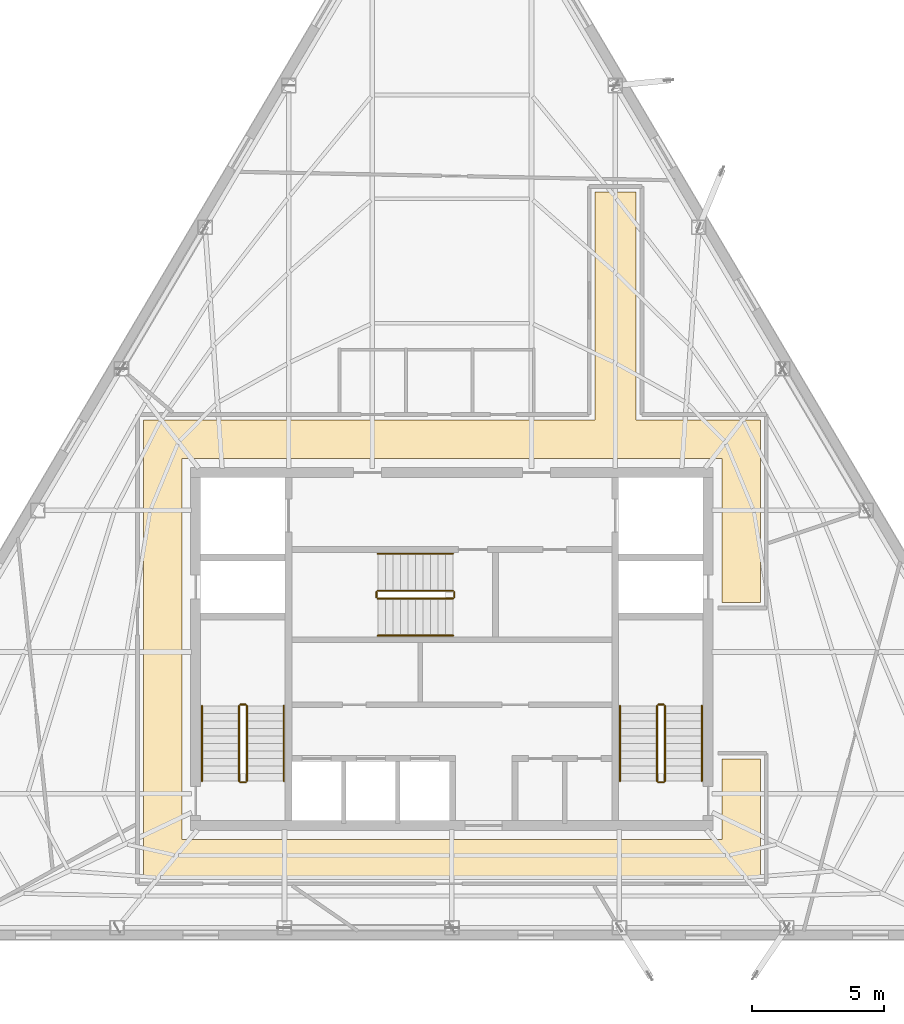
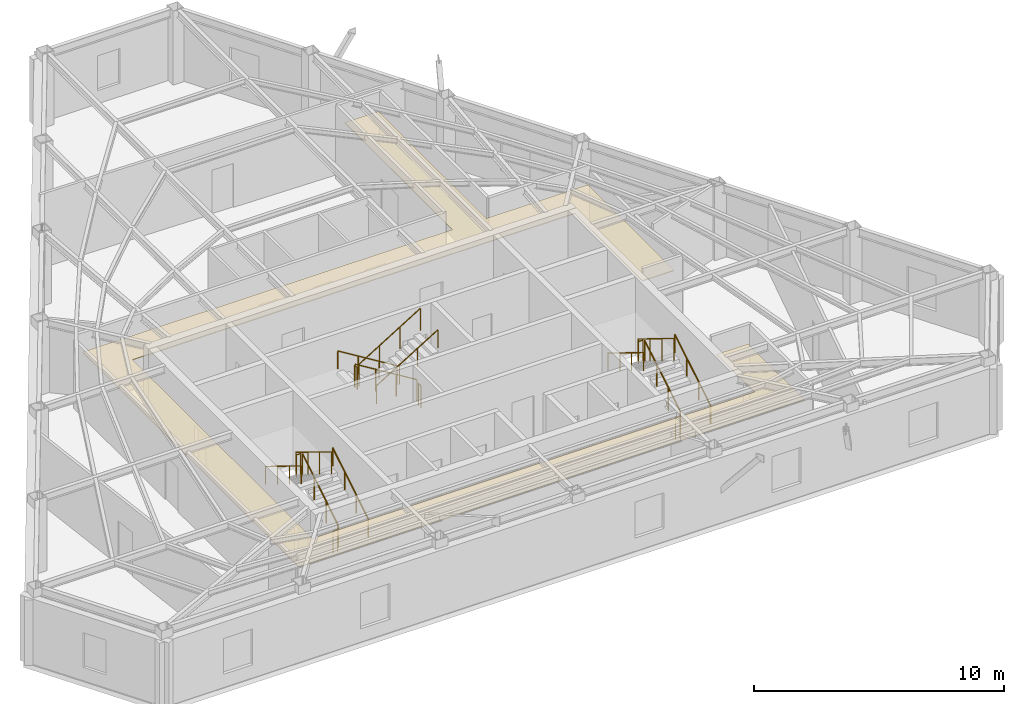
# One storey, part 10 of 10: 18 railings, 1 covering.
"""IFC4 building model written with IfcOpenShell, lengths in metres."""

from ifc_helpers import new_model, si_unit, direction, frame, origin, origin_2d, place, context, subcontext, project, spatial, polyline, circle, outline, extrude, material, layer, layer_set, type_object, element, save


model = new_model("IFC4")

# Units and contexts
model_context = context("Model", 3, precision=1e-05, world=origin(), true_north=direction((0.0, 1.0)))
body_context = subcontext(model_context, "Body", "Model", "MODEL_VIEW")
ifc_project = project(units=[si_unit("LENGTHUNIT", "METRE"), si_unit("AREAUNIT", "SQUARE_METRE"), si_unit("VOLUMEUNIT", "CUBIC_METRE"), si_unit("PLANEANGLEUNIT", "RADIAN"), si_unit("MASSUNIT", "GRAM", prefix="KILO")], contexts=[model_context])

# Site, building, storey
site_placement = place(None, origin())
site = spatial("IfcSite", under=ifc_project, at=site_placement, CompositionType="ELEMENT")
building_placement = place(site_placement, origin())
building = spatial("IfcBuilding", under=site, at=building_placement, Name="Kavelnor Concourse Tower", CompositionType="ELEMENT")
storey_placement = place(building_placement, frame((0.0, 0.0, 274.14990234375)))
storey = spatial("IfcBuildingStorey", under=building, at=storey_placement, Name="L69", CompositionType="ELEMENT", Elevation=274.14990234375)

# Covering
ifc_material_1 = material(Name="Mineral fibre acoustic ceiling tile")
ifc_layer = layer(ifc_material_1, 0.0400390625, Name="Mineral fibre acoustic ceiling tile")
ifc_layer_set = layer_set([ifc_layer], Name="Mineral fibre acoustic ceiling tile")
covering_type = type_object("IfcCoveringType", Name="COV-CEILING-ACOUSTIC", PredefinedType="CEILING", material=ifc_layer_set)
covering_placement = place(storey_placement, frame((0.0, 0.0, 2.75)))
element("IfcCovering", 1, at=covering_placement, inside=storey, type_object=covering_type, Name="L69 Suspended Acoustic Ceiling", PredefinedType="CEILING", context=body_context, shape_type="SweptSolid", body=[
    extrude(outline(polyline([(44.97998046875, 24.77001953125), (49.68994140625, 24.77001953125), (49.68994140625, 17.8701171875), (48.22998046875, 17.8701171875), (48.22998046875, 23.31005859375), (27.77001953125, 23.31005859375), (27.77001953125, 8.889892578125), (48.22998046875, 8.889892578125), (48.22998046875, 11.929931640625), (49.68994140625, 11.929931640625), (49.68994140625, 7.429931640625), (26.31005859375, 7.429931640625), (26.31005859375, 24.77001953125), (43.419921875, 24.77001953125), (43.419921875, 33.4111328125), (44.97998046875, 33.4111328125), (44.97998046875, 24.77001953125)])), origin(), (0.0, 0.0, 1.0), 0.0400390625),
])

# Railings
ifc_material_2 = material(Name="Steel Grade 350", Category="steel")
railing_type_1 = type_object("IfcRailingType", Name="RLG-GUARD-1100", PredefinedType="GUARDRAIL", material=ifc_material_2)
railing_1_placement = place(storey_placement, frame((30.22998046875, 11.10009765625, 0.175048828125)))
element("IfcRailing", 2, at=railing_1_placement, inside=storey, type_object=railing_type_1, Name="L69 ST1 stair guard 1", PredefinedType="GUARDRAIL", context=body_context, shape_type="SweptSolid", body=[
    extrude(circle(Radius=0.02392578125, at=origin_2d()), frame((0.0, 0.0, 1.076171875), z_axis=(0.0, 0.852159232446, 0.523282564737), x_axis=(-1.0, 0.0, 0.0)), (0.0, 0.0, 1.0), 3.34423828125),
    extrude(circle(Radius=0.02099609375, at=origin_2d()), origin(), (0.0, 0.0, 1.0), 1.052001953125),
    extrude(circle(Radius=0.02099609375, at=origin_2d()), frame((0.0, 0.949951171875, 0.583251953125)), (0.0, 0.0, 1.0), 1.052001953125),
    extrude(circle(Radius=0.02099609375, at=origin_2d()), frame((0.0, 1.89990234375, 1.166748046875)), (0.0, 0.0, 1.0), 1.052001953125),
    extrude(circle(Radius=0.02099609375, at=origin_2d()), frame((0.0, 2.849853515625, 1.75)), (0.0, 0.0, 1.0), 1.052001953125),
])
railing_2_placement = place(storey_placement, frame((30.179931640625, 14.0, 1.925048828125)))
element("IfcRailing", 3, at=railing_2_placement, inside=storey, type_object=railing_type_1, Name="L69 ST1 stair guard 2", PredefinedType="GUARDRAIL", context=body_context, shape_type="SweptSolid", body=[
    extrude(circle(Radius=0.02392578125, at=origin_2d()), frame((0.0, 0.0, 1.076171875), z_axis=(-1.0, 0.0, 0.0), x_axis=(0.0, -1.0, 0.0)), (0.0, 0.0, 1.0), 0.199951171875),
    extrude(circle(Radius=0.02099609375, at=origin_2d()), origin(), (0.0, 0.0, 1.0), 1.052001953125),
    extrude(circle(Radius=0.02099609375, at=origin_2d()), frame((-0.199951171875, 0.0, 0.0)), (0.0, 0.0, 1.0), 1.052001953125),
])
railing_3_placement = place(storey_placement, frame((29.929931640625, 13.949951171875, 2.10009765625)))
element("IfcRailing", 4, at=railing_3_placement, inside=storey, type_object=railing_type_1, Name="L69 ST1 stair guard 3", PredefinedType="GUARDRAIL", context=body_context, shape_type="SweptSolid", body=[
    extrude(circle(Radius=0.02392578125, at=origin_2d()), frame((0.0, 0.0, 1.076171875), z_axis=(0.0, -0.852159232446, 0.523282564737), x_axis=(1.0, 0.0, 0.0)), (0.0, 0.0, 1.0), 3.34423828125),
    extrude(circle(Radius=0.02099609375, at=origin_2d()), origin(), (0.0, 0.0, 1.0), 1.052001953125),
    extrude(circle(Radius=0.02099609375, at=origin_2d()), frame((0.0, -0.949951171875, 0.583251953125)), (0.0, 0.0, 1.0), 1.052001953125),
    extrude(circle(Radius=0.02099609375, at=origin_2d()), frame((0.0, -1.89990234375, 1.166748046875)), (0.0, 0.0, 1.0), 1.052001953125),
    extrude(circle(Radius=0.02099609375, at=origin_2d()), frame((0.0, -2.849853515625, 1.75)), (0.0, 0.0, 1.0), 1.052001953125),
])
railing_4_placement = place(storey_placement, frame((30.179931640625, 11.050048828125, 0.0)))
element("IfcRailing", 5, at=railing_4_placement, inside=storey, type_object=railing_type_1, Name="L69 ST1 stair guard 4", PredefinedType="GUARDRAIL", context=body_context, shape_type="SweptSolid", body=[
    extrude(circle(Radius=0.02392578125, at=origin_2d()), frame((0.0, 0.0, 1.076171875), z_axis=(-1.0, 0.0, 0.0), x_axis=(0.0, -1.0, 0.0)), (0.0, 0.0, 1.0), 0.199951171875),
    extrude(circle(Radius=0.02099609375, at=origin_2d()), origin(), (0.0, 0.0, 1.0), 1.052001953125),
    extrude(circle(Radius=0.02099609375, at=origin_2d()), frame((-0.199951171875, 0.0, 0.0)), (0.0, 0.0, 1.0), 1.052001953125),
])
railing_5_placement = place(storey_placement, frame((46.070068359375, 11.10009765625, 0.175048828125)))
element("IfcRailing", 6, at=railing_5_placement, inside=storey, type_object=railing_type_1, Name="L69 ST2 stair guard 1", PredefinedType="GUARDRAIL", context=body_context, shape_type="SweptSolid", body=[
    extrude(circle(Radius=0.02392578125, at=origin_2d()), frame((0.0, 0.0, 1.076171875), z_axis=(0.0, 0.852159232446, 0.523282564737), x_axis=(-1.0, 0.0, 0.0)), (0.0, 0.0, 1.0), 3.34423828125),
    extrude(circle(Radius=0.02099609375, at=origin_2d()), origin(), (0.0, 0.0, 1.0), 1.052001953125),
    extrude(circle(Radius=0.02099609375, at=origin_2d()), frame((0.0, 0.949951171875, 0.583251953125)), (0.0, 0.0, 1.0), 1.052001953125),
    extrude(circle(Radius=0.02099609375, at=origin_2d()), frame((0.0, 1.89990234375, 1.166748046875)), (0.0, 0.0, 1.0), 1.052001953125),
    extrude(circle(Radius=0.02099609375, at=origin_2d()), frame((0.0, 2.849853515625, 1.75)), (0.0, 0.0, 1.0), 1.052001953125),
])
railing_6_placement = place(storey_placement, frame((46.02001953125, 14.0, 1.925048828125)))
element("IfcRailing", 7, at=railing_6_placement, inside=storey, type_object=railing_type_1, Name="L69 ST2 stair guard 2", PredefinedType="GUARDRAIL", context=body_context, shape_type="SweptSolid", body=[
    extrude(circle(Radius=0.02392578125, at=origin_2d()), frame((0.0, 0.0, 1.076171875), z_axis=(-1.0, 0.0, 0.0), x_axis=(0.0, -1.0, 0.0)), (0.0, 0.0, 1.0), 0.199951171875),
    extrude(circle(Radius=0.02099609375, at=origin_2d()), origin(), (0.0, 0.0, 1.0), 1.052001953125),
    extrude(circle(Radius=0.02099609375, at=origin_2d()), frame((-0.199951171875, 0.0, 0.0)), (0.0, 0.0, 1.0), 1.052001953125),
])
railing_7_placement = place(storey_placement, frame((45.77001953125, 13.949951171875, 2.10009765625)))
element("IfcRailing", 8, at=railing_7_placement, inside=storey, type_object=railing_type_1, Name="L69 ST2 stair guard 3", PredefinedType="GUARDRAIL", context=body_context, shape_type="SweptSolid", body=[
    extrude(circle(Radius=0.02392578125, at=origin_2d()), frame((0.0, 0.0, 1.076171875), z_axis=(0.0, -0.852159232446, 0.523282564737), x_axis=(1.0, 0.0, 0.0)), (0.0, 0.0, 1.0), 3.34423828125),
    extrude(circle(Radius=0.02099609375, at=origin_2d()), origin(), (0.0, 0.0, 1.0), 1.052001953125),
    extrude(circle(Radius=0.02099609375, at=origin_2d()), frame((0.0, -0.949951171875, 0.583251953125)), (0.0, 0.0, 1.0), 1.052001953125),
    extrude(circle(Radius=0.02099609375, at=origin_2d()), frame((0.0, -1.89990234375, 1.166748046875)), (0.0, 0.0, 1.0), 1.052001953125),
    extrude(circle(Radius=0.02099609375, at=origin_2d()), frame((0.0, -2.849853515625, 1.75)), (0.0, 0.0, 1.0), 1.052001953125),
])
railing_8_placement = place(storey_placement, frame((46.02001953125, 11.050048828125, 0.0)))
element("IfcRailing", 9, at=railing_8_placement, inside=storey, type_object=railing_type_1, Name="L69 ST2 stair guard 4", PredefinedType="GUARDRAIL", context=body_context, shape_type="SweptSolid", body=[
    extrude(circle(Radius=0.02392578125, at=origin_2d()), frame((0.0, 0.0, 1.076171875), z_axis=(-1.0, 0.0, 0.0), x_axis=(0.0, -1.0, 0.0)), (0.0, 0.0, 1.0), 0.199951171875),
    extrude(circle(Radius=0.02099609375, at=origin_2d()), origin(), (0.0, 0.0, 1.0), 1.052001953125),
    extrude(circle(Radius=0.02099609375, at=origin_2d()), frame((-0.199951171875, 0.0, 0.0)), (0.0, 0.0, 1.0), 1.052001953125),
])
railing_9_placement = place(storey_placement, frame((38.0400390625, 18.31005859375, 0.175048828125)))
element("IfcRailing", 10, at=railing_9_placement, inside=storey, type_object=railing_type_1, Name="L69 ST3 stair guard 1", PredefinedType="GUARDRAIL", context=body_context, shape_type="SweptSolid", body=[
    extrude(circle(Radius=0.02392578125, at=origin_2d()), frame((0.0, 0.0, 1.076171875), z_axis=(-0.852179220489, 0.0, 0.52325001306), x_axis=(0.0, -1.0, 0.0)), (0.0, 0.0, 1.0), 3.344482421875),
    extrude(circle(Radius=0.02099609375, at=origin_2d()), origin(), (0.0, 0.0, 1.0), 1.052001953125),
    extrude(circle(Radius=0.02099609375, at=origin_2d()), frame((-0.949951171875, 0.0, 0.583251953125)), (0.0, 0.0, 1.0), 1.052001953125),
    extrude(circle(Radius=0.02099609375, at=origin_2d()), frame((-1.900146484375, 0.0, 1.166748046875)), (0.0, 0.0, 1.0), 1.052001953125),
    extrude(circle(Radius=0.02099609375, at=origin_2d()), frame((-2.85009765625, 0.0, 1.75)), (0.0, 0.0, 1.0), 1.052001953125),
])
railing_10_placement = place(storey_placement, frame((35.139892578125, 18.260009765625, 1.925048828125)))
element("IfcRailing", 11, at=railing_10_placement, inside=storey, type_object=railing_type_1, Name="L69 ST3 stair guard 2", PredefinedType="GUARDRAIL", context=body_context, shape_type="SweptSolid", body=[
    extrude(circle(Radius=0.02392578125, at=origin_2d()), frame((0.0, 0.0, 1.076171875), z_axis=(0.0, -1.0, 0.0), x_axis=(1.0, 0.0, 0.0)), (0.0, 0.0, 1.0), 0.199951171875),
    extrude(circle(Radius=0.02099609375, at=origin_2d()), origin(), (0.0, 0.0, 1.0), 1.052001953125),
    extrude(circle(Radius=0.02099609375, at=origin_2d()), frame((0.0, -0.199951171875, 0.0)), (0.0, 0.0, 1.0), 1.052001953125),
])
railing_11_placement = place(storey_placement, frame((35.18994140625, 18.010009765625, 2.10009765625)))
element("IfcRailing", 12, at=railing_11_placement, inside=storey, type_object=railing_type_1, Name="L69 ST3 stair guard 3", PredefinedType="GUARDRAIL", context=body_context, shape_type="SweptSolid", body=[
    extrude(circle(Radius=0.02392578125, at=origin_2d()), frame((0.0, 0.0, 1.076171875), z_axis=(0.852179220489, 0.0, 0.52325001306), x_axis=(0.0, 1.0, 0.0)), (0.0, 0.0, 1.0), 3.344482421875),
    extrude(circle(Radius=0.02099609375, at=origin_2d()), origin(), (0.0, 0.0, 1.0), 1.052001953125),
    extrude(circle(Radius=0.02099609375, at=origin_2d()), frame((0.949951171875, 0.0, 0.583251953125)), (0.0, 0.0, 1.0), 1.052001953125),
    extrude(circle(Radius=0.02099609375, at=origin_2d()), frame((1.900146484375, 0.0, 1.166748046875)), (0.0, 0.0, 1.0), 1.052001953125),
    extrude(circle(Radius=0.02099609375, at=origin_2d()), frame((2.85009765625, 0.0, 1.75)), (0.0, 0.0, 1.0), 1.052001953125),
])
railing_12_placement = place(storey_placement, frame((38.090087890625, 18.260009765625, 0.0)))
element("IfcRailing", 13, at=railing_12_placement, inside=storey, type_object=railing_type_1, Name="L69 ST3 stair guard 4", PredefinedType="GUARDRAIL", context=body_context, shape_type="SweptSolid", body=[
    extrude(circle(Radius=0.02392578125, at=origin_2d()), frame((0.0, 0.0, 1.076171875), z_axis=(0.0, -1.0, 0.0), x_axis=(1.0, 0.0, 0.0)), (0.0, 0.0, 1.0), 0.199951171875),
    extrude(circle(Radius=0.02099609375, at=origin_2d()), origin(), (0.0, 0.0, 1.0), 1.052001953125),
    extrude(circle(Radius=0.02099609375, at=origin_2d()), frame((0.0, -0.199951171875, 0.0)), (0.0, 0.0, 1.0), 1.052001953125),
])
railing_type_2 = type_object("IfcRailingType", Name="RLG-HANDRAIL-900", PredefinedType="HANDRAIL", material=ifc_material_2)
railing_13_placement = place(storey_placement, frame((31.6298828125, 11.10009765625, 0.175048828125)))
element("IfcRailing", 14, at=railing_13_placement, inside=storey, type_object=railing_type_2, Name="L69 ST1 stair handrail 1", PredefinedType="HANDRAIL", context=body_context, shape_type="SweptSolid", body=[
    extrude(circle(Radius=0.02392578125, at=origin_2d()), frame((0.0, 0.0, 0.8759765625), z_axis=(0.0, 0.852159232446, 0.523282564737), x_axis=(-1.0, 0.0, 0.0)), (0.0, 0.0, 1.0), 3.34423828125),
    extrude(circle(Radius=0.02099609375, at=origin_2d()), origin(), (0.0, 0.0, 1.0), 0.851806640625),
    extrude(circle(Radius=0.02099609375, at=origin_2d()), frame((0.0, 0.949951171875, 0.583251953125)), (0.0, 0.0, 1.0), 0.851806640625),
    extrude(circle(Radius=0.02099609375, at=origin_2d()), frame((0.0, 1.89990234375, 1.166748046875)), (0.0, 0.0, 1.0), 0.851806640625),
    extrude(circle(Radius=0.02099609375, at=origin_2d()), frame((0.0, 2.849853515625, 1.75)), (0.0, 0.0, 1.0), 0.851806640625),
])
railing_14_placement = place(storey_placement, frame((28.530029296875, 13.949951171875, 2.10009765625)))
element("IfcRailing", 15, at=railing_14_placement, inside=storey, type_object=railing_type_2, Name="L69 ST1 stair handrail 2", PredefinedType="HANDRAIL", context=body_context, shape_type="SweptSolid", body=[
    extrude(circle(Radius=0.02392578125, at=origin_2d()), frame((0.0, 0.0, 0.8759765625), z_axis=(0.0, -0.852159232446, 0.523282564737), x_axis=(1.0, 0.0, 0.0)), (0.0, 0.0, 1.0), 3.34423828125),
    extrude(circle(Radius=0.02099609375, at=origin_2d()), origin(), (0.0, 0.0, 1.0), 0.851806640625),
    extrude(circle(Radius=0.02099609375, at=origin_2d()), frame((0.0, -0.949951171875, 0.583251953125)), (0.0, 0.0, 1.0), 0.851806640625),
    extrude(circle(Radius=0.02099609375, at=origin_2d()), frame((0.0, -1.89990234375, 1.166748046875)), (0.0, 0.0, 1.0), 0.851806640625),
    extrude(circle(Radius=0.02099609375, at=origin_2d()), frame((0.0, -2.849853515625, 1.75)), (0.0, 0.0, 1.0), 0.851806640625),
])
railing_15_placement = place(storey_placement, frame((47.469970703125, 11.10009765625, 0.175048828125)))
element("IfcRailing", 16, at=railing_15_placement, inside=storey, type_object=railing_type_2, Name="L69 ST2 stair handrail 1", PredefinedType="HANDRAIL", context=body_context, shape_type="SweptSolid", body=[
    extrude(circle(Radius=0.02392578125, at=origin_2d()), frame((0.0, 0.0, 0.8759765625), z_axis=(0.0, 0.852159232446, 0.523282564737), x_axis=(-1.0, 0.0, 0.0)), (0.0, 0.0, 1.0), 3.34423828125),
    extrude(circle(Radius=0.02099609375, at=origin_2d()), origin(), (0.0, 0.0, 1.0), 0.851806640625),
    extrude(circle(Radius=0.02099609375, at=origin_2d()), frame((0.0, 0.949951171875, 0.583251953125)), (0.0, 0.0, 1.0), 0.851806640625),
    extrude(circle(Radius=0.02099609375, at=origin_2d()), frame((0.0, 1.89990234375, 1.166748046875)), (0.0, 0.0, 1.0), 0.851806640625),
    extrude(circle(Radius=0.02099609375, at=origin_2d()), frame((0.0, 2.849853515625, 1.75)), (0.0, 0.0, 1.0), 0.851806640625),
])
railing_16_placement = place(storey_placement, frame((44.3701171875, 13.949951171875, 2.10009765625)))
element("IfcRailing", 17, at=railing_16_placement, inside=storey, type_object=railing_type_2, Name="L69 ST2 stair handrail 2", PredefinedType="HANDRAIL", context=body_context, shape_type="SweptSolid", body=[
    extrude(circle(Radius=0.02392578125, at=origin_2d()), frame((0.0, 0.0, 0.8759765625), z_axis=(0.0, -0.852159232446, 0.523282564737), x_axis=(1.0, 0.0, 0.0)), (0.0, 0.0, 1.0), 3.34423828125),
    extrude(circle(Radius=0.02099609375, at=origin_2d()), origin(), (0.0, 0.0, 1.0), 0.851806640625),
    extrude(circle(Radius=0.02099609375, at=origin_2d()), frame((0.0, -0.949951171875, 0.583251953125)), (0.0, 0.0, 1.0), 0.851806640625),
    extrude(circle(Radius=0.02099609375, at=origin_2d()), frame((0.0, -1.89990234375, 1.166748046875)), (0.0, 0.0, 1.0), 0.851806640625),
    extrude(circle(Radius=0.02099609375, at=origin_2d()), frame((0.0, -2.849853515625, 1.75)), (0.0, 0.0, 1.0), 0.851806640625),
])
railing_17_placement = place(storey_placement, frame((38.0400390625, 19.7099609375, 0.175048828125)))
element("IfcRailing", 18, at=railing_17_placement, inside=storey, type_object=railing_type_2, Name="L69 ST3 stair handrail 1", PredefinedType="HANDRAIL", context=body_context, shape_type="SweptSolid", body=[
    extrude(circle(Radius=0.02392578125, at=origin_2d()), frame((0.0, 0.0, 0.8759765625), z_axis=(-0.852179220489, 0.0, 0.52325001306), x_axis=(0.0, -1.0, 0.0)), (0.0, 0.0, 1.0), 3.344482421875),
    extrude(circle(Radius=0.02099609375, at=origin_2d()), origin(), (0.0, 0.0, 1.0), 0.851806640625),
    extrude(circle(Radius=0.02099609375, at=origin_2d()), frame((-0.949951171875, 0.0, 0.583251953125)), (0.0, 0.0, 1.0), 0.851806640625),
    extrude(circle(Radius=0.02099609375, at=origin_2d()), frame((-1.900146484375, 0.0, 1.166748046875)), (0.0, 0.0, 1.0), 0.851806640625),
    extrude(circle(Radius=0.02099609375, at=origin_2d()), frame((-2.85009765625, 0.0, 1.75)), (0.0, 0.0, 1.0), 0.851806640625),
])
railing_18_placement = place(storey_placement, frame((35.18994140625, 16.610107421875, 2.10009765625)))
element("IfcRailing", 19, at=railing_18_placement, inside=storey, type_object=railing_type_2, Name="L69 ST3 stair handrail 2", PredefinedType="HANDRAIL", context=body_context, shape_type="SweptSolid", body=[
    extrude(circle(Radius=0.02392578125, at=origin_2d()), frame((0.0, 0.0, 0.8759765625), z_axis=(0.852179220489, 0.0, 0.52325001306), x_axis=(0.0, 1.0, 0.0)), (0.0, 0.0, 1.0), 3.344482421875),
    extrude(circle(Radius=0.02099609375, at=origin_2d()), origin(), (0.0, 0.0, 1.0), 0.851806640625),
    extrude(circle(Radius=0.02099609375, at=origin_2d()), frame((0.949951171875, 0.0, 0.583251953125)), (0.0, 0.0, 1.0), 0.851806640625),
    extrude(circle(Radius=0.02099609375, at=origin_2d()), frame((1.900146484375, 0.0, 1.166748046875)), (0.0, 0.0, 1.0), 0.851806640625),
    extrude(circle(Radius=0.02099609375, at=origin_2d()), frame((2.85009765625, 0.0, 1.75)), (0.0, 0.0, 1.0), 0.851806640625),
])

save(model, "model.ifc")
